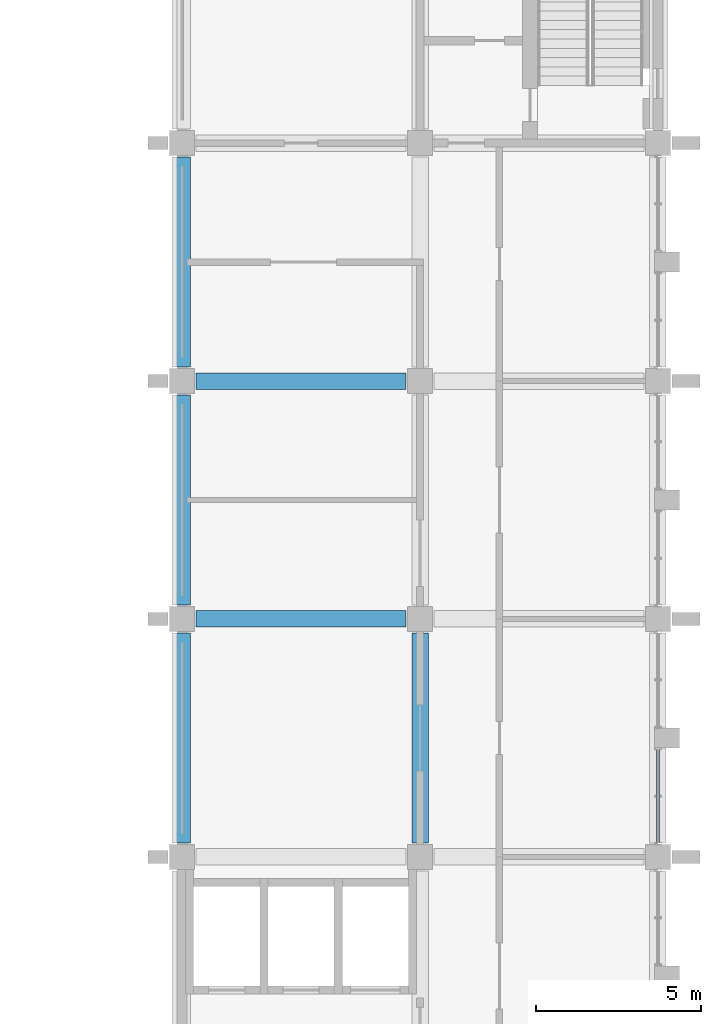
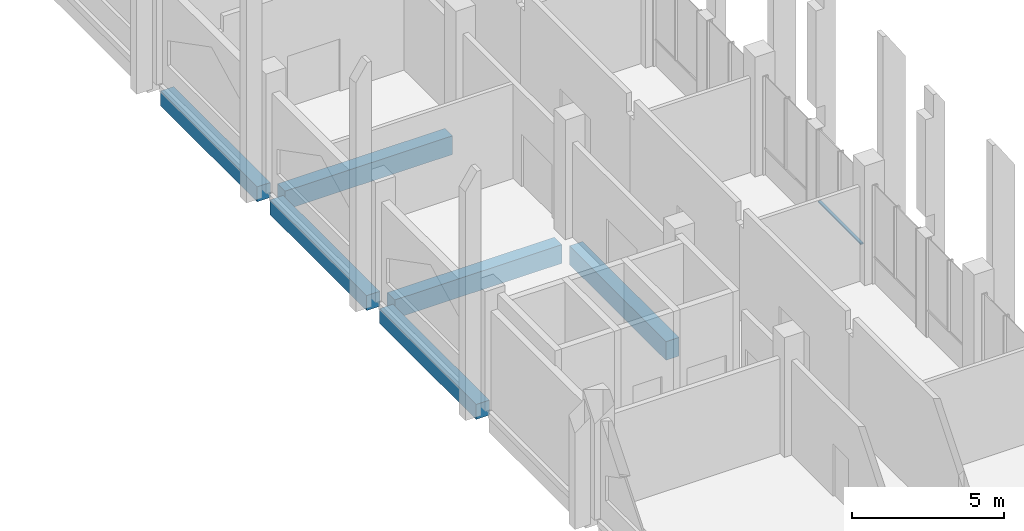
# One storey, part 19 of 40: 6 beams, 1 member, 1 element without a shape of its own.
"""IFC4 building model written with IfcOpenShell, lengths in metres."""

from ifc_helpers import new_model, si_unit, direction, frame, origin, origin_2d, place, context, subcontext, project, spatial, rectangle, hollow_rectangle, extrude, material, material_profile, profile_set, type_object, element, aggregate, save


model = new_model("IFC4")

# Units and contexts
model_context = context("Model", 3, precision=1e-05, world=origin(), true_north=direction((0.0, 1.0)))
body_context = subcontext(model_context, "Body", "Model", "MODEL_VIEW")
ifc_project = project(units=[si_unit("LENGTHUNIT", "METRE"), si_unit("AREAUNIT", "SQUARE_METRE"), si_unit("VOLUMEUNIT", "CUBIC_METRE"), si_unit("PLANEANGLEUNIT", "RADIAN"), si_unit("MASSUNIT", "GRAM", prefix="KILO")], contexts=[model_context])

# Site, building, storey
site_placement = place(None, origin())
site = spatial("IfcSite", under=ifc_project, at=site_placement, CompositionType="ELEMENT")
building_placement = place(site_placement, origin())
building = spatial("IfcBuilding", under=site, at=building_placement, Name="Silangan Lancet Faculty of Sciences", CompositionType="ELEMENT")
storey_placement = place(building_placement, frame((0.0, 0.0, 21.60009765625)))
storey = spatial("IfcBuildingStorey", under=building, at=storey_placement, Name="L04", CompositionType="ELEMENT", Elevation=21.60009765625)

# Beams
ifc_material_1 = material(Name="Concrete C40/50", Category="concrete")
ifc_material_profile_1 = material_profile(ifc_material_1, rectangle(XDim=0.5, YDim=0.60009765625, at=origin_2d()), Name="RC 500x600")
ifc_profile_set_1 = profile_set([ifc_material_profile_1], Name="Concrete C40/50")
beam_type_1 = type_object("IfcBeamType", Name="BEAM RC 500x600", PredefinedType="BEAM", material=ifc_profile_set_1)
for number, where, z_axis, x_axis, name in (
    (1, (72.0, 29.22509765625, -0.550048828125), (0.0, 1.0, 0.0), (-1.0, 0.0, 0.0), "BM-L04-11E-11F"),
    (2, (72.0, 36.425048828125, -0.550048828125), (0.0, 1.0, 0.0), (-1.0, 0.0, 0.0), "BM-L04-11F-11G"),
):
    element("IfcBeam", number, at=place(storey_placement, frame(where, z_axis=z_axis, x_axis=x_axis)), inside=storey, type_object=beam_type_1, Name=name, PredefinedType="BEAM", context=body_context, shape_type="SweptSolid", body=[
        extrude(rectangle(XDim=0.5, YDim=0.60009765625, at=origin_2d()), origin(), (0.0, 0.0, 1.0), 6.349853515625),
    ])
beam_placement = place(storey_placement, frame((72.0, 43.625, -0.550048828125), z_axis=(0.0, 1.0, 0.0), x_axis=(-1.0, 0.0, 0.0)))
element("IfcBeam", 3, at=beam_placement, inside=storey, type_object=beam_type_1, Name="BM-L04-11G-11H", PredefinedType="BEAM", context=body_context, shape_type="SweptSolid", body=[
    extrude(rectangle(XDim=0.5, YDim=0.60009765625, at=origin_2d()), origin(), (0.0, 0.0, 1.0), 6.35009765625),
])
ifc_material_2 = material(Name="Concrete C40/50", Category="concrete")
ifc_material_profile_2 = material_profile(ifc_material_2, rectangle(XDim=0.5, YDim=0.75, at=origin_2d()), Name="RC 500x750")
ifc_profile_set_2 = profile_set([ifc_material_profile_2], Name="Concrete C40/50")
beam_type_2 = type_object("IfcBeamType", Name="BEAM RC 500x750", PredefinedType="BEAM", material=ifc_profile_set_2)
for number, where, z_axis, x_axis, name in (
    (4, (72.425048828125, 36.0, -0.625), (1.0, 0.0, 0.0), (0.0, 1.0, 0.0), "BM-L04-11F-12F"),
    (5, (72.425048828125, 43.199951171875, -0.625), (1.0, 0.0, 0.0), (0.0, 1.0, 0.0), "BM-L04-11G-12G"),
    (6, (79.199951171875, 29.22509765625, -0.625), (0.0, 1.0, 0.0), (-1.0, 0.0, 0.0), "BM-L04-12E-12F"),
):
    element("IfcBeam", number, at=place(storey_placement, frame(where, z_axis=z_axis, x_axis=x_axis)), inside=storey, type_object=beam_type_2, Name=name, PredefinedType="BEAM", context=body_context, shape_type="SweptSolid", body=[
        extrude(rectangle(XDim=0.5, YDim=0.75, at=origin_2d()), origin(), (0.0, 0.0, 1.0), 6.349853515625),
    ])

# Curtain wall, member
ifc_material_3 = material(Name="Aluminium framed curtain wall with insulated glass", Category="aluminium")
curtain_wall_type = type_object("IfcCurtainWallType", Name="CW1 Commons and east block glazing", PredefinedType="NOTDEFINED", material=ifc_material_3)
curtain_wall_placement = place(storey_placement, origin())
curtain_wall = element("IfcCurtainWall", 7, at=curtain_wall_placement, inside=storey, type_object=curtain_wall_type, Name="CW1 East commons L04 bay 7", PredefinedType="NOTDEFINED")
ifc_material_4 = material(Name="Aluminium 6063-T6 extrusion", Category="aluminium")
ifc_material_profile_3 = material_profile(ifc_material_4, hollow_rectangle(XDim=0.10009765625, YDim=0.06005859375, WallThickness=0.0029296875, at=origin_2d()), Name="AL BOX 100x60x3")
ifc_profile_set_3 = profile_set([ifc_material_profile_3], Name="Aluminium 6063-T6 extrusion")
member_type = type_object("IfcMemberType", Name="CT1 Transom 100x60", PredefinedType="USERDEFINED", material=ifc_profile_set_3)
member_placement = place(storey_placement, frame((86.39990234375, 29.235107421875, 1.06982421875), z_axis=(0.0, 1.0, 0.0), x_axis=(-1.0, 0.0, 0.0)))
member = element("IfcMember", 8, at=member_placement, type_object=member_type, Name="CW1 East commons L04 bay 7 transom 1", ObjectType="TRANSOM", PredefinedType="USERDEFINED", context=body_context, shape_type="SweptSolid", body=[
    extrude(hollow_rectangle(XDim=0.10009765625, YDim=0.06005859375, WallThickness=0.0029296875, at=origin_2d()), origin(), (0.0, 0.0, 1.0), 2.8046875),
])
aggregate(curtain_wall, [member])

save(model, "model.ifc")
